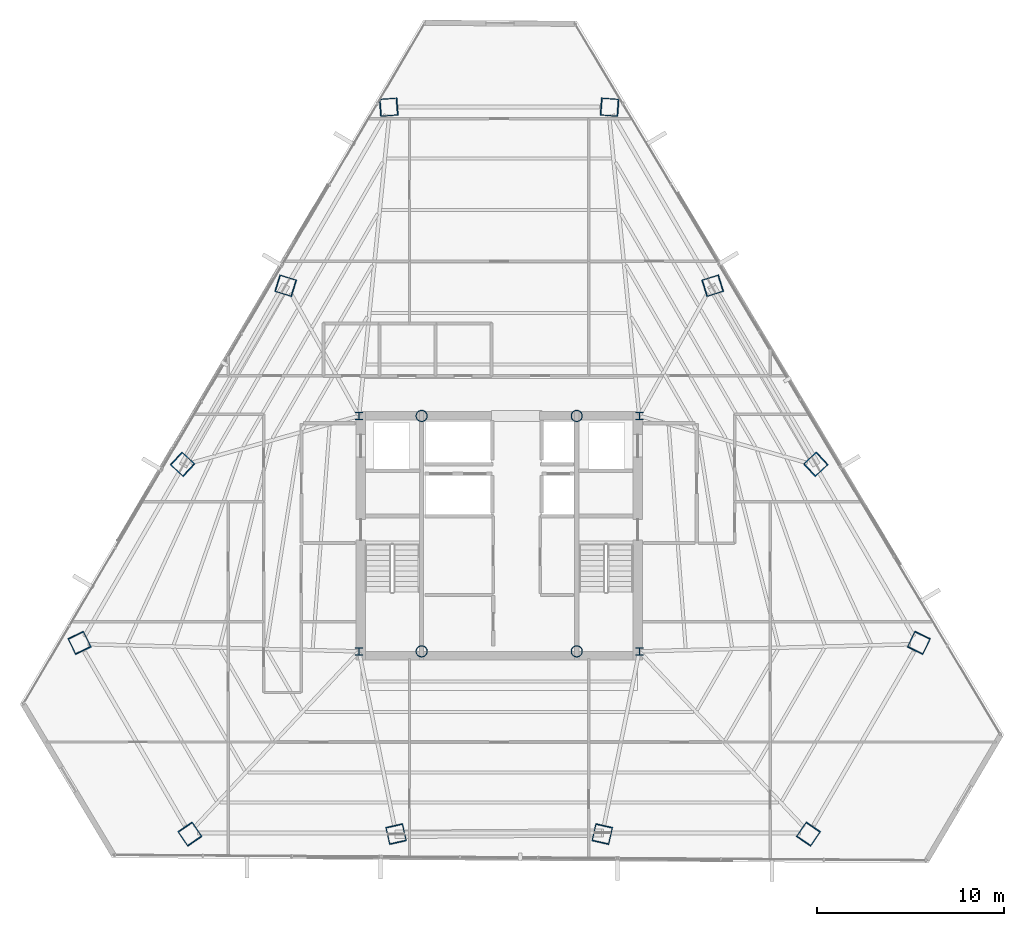
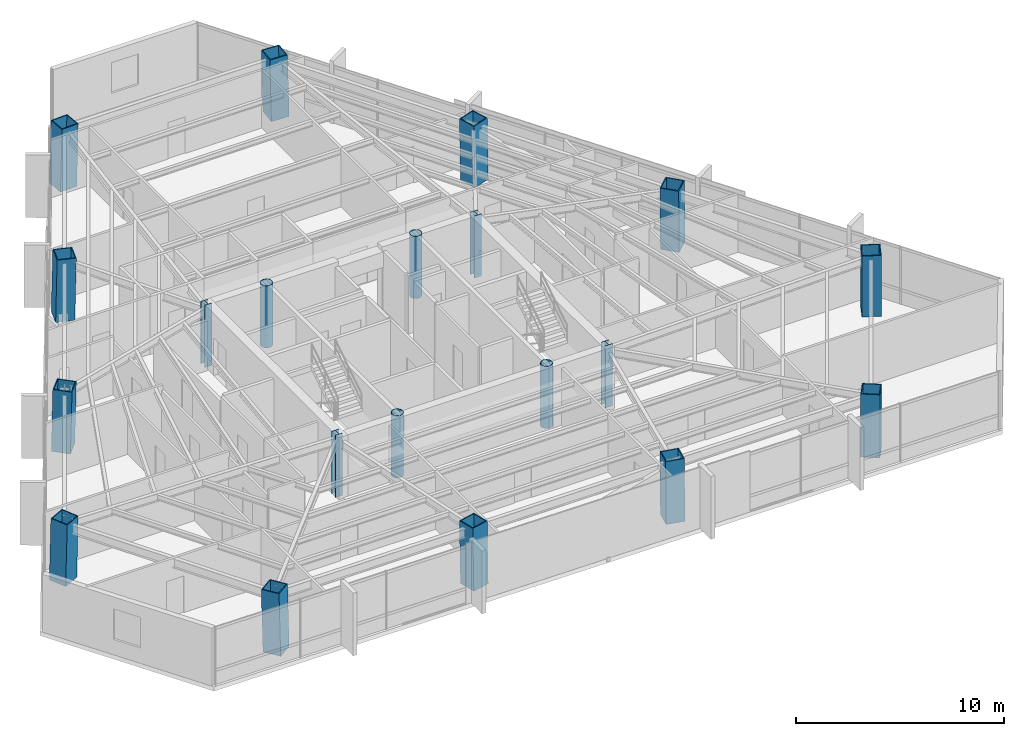
# One storey, part 1 of 41: 20 columns.
"""IFC4 building model written with IfcOpenShell, lengths in metres."""

from ifc_helpers import new_model, si_unit, direction, frame, origin, origin_2d, place, context, subcontext, project, spatial, hollow_rectangle, hollow_circle, i_section, extrude, source, transform, mapped, material, material_profile, profile_set, type_object, type_shapes, element, save


model = new_model("IFC4")

# Units and contexts
model_context = context("Model", 3, precision=1e-05, world=origin(), true_north=direction((0.0, 1.0)))
body_context = subcontext(model_context, "Body", "Model", "MODEL_VIEW")
ifc_project = project(units=[si_unit("LENGTHUNIT", "METRE"), si_unit("AREAUNIT", "SQUARE_METRE"), si_unit("VOLUMEUNIT", "CUBIC_METRE"), si_unit("PLANEANGLEUNIT", "RADIAN"), si_unit("MASSUNIT", "GRAM", prefix="KILO")], contexts=[model_context])

# Site, building, storey
site_placement = place(None, origin())
site = spatial("IfcSite", under=ifc_project, at=site_placement, CompositionType="ELEMENT")
building_placement = place(site_placement, origin())
building = spatial("IfcBuilding", under=site, at=building_placement, Name="Caelisora Broadcast Tower", CompositionType="ELEMENT")
storey_placement = place(building_placement, frame((0.0, 0.0, 169.449951171875)))
storey = spatial("IfcBuildingStorey", under=building, at=storey_placement, Name="L44", CompositionType="ELEMENT", Elevation=169.449951171875)

# Columns
ifc_material_1 = material(Name="Steel Grade 350 (AS/NZS 3679.2)", Category="steel")
ifc_material_profile_1 = material_profile(ifc_material_1, i_section(OverallWidth=0.39990234375, OverallDepth=0.39990234375, WebThickness=0.02001953125, FlangeThickness=0.031982421875, at=origin_2d()), Name="Steel Grade 350 (AS/NZS 3679.2)")
ifc_profile_set_1 = profile_set([ifc_material_profile_1], Name="Steel Grade 350 (AS/NZS 3679.2)")
column_type_1 = type_object("IfcColumnType", Name="CC02", PredefinedType="COLUMN", material=ifc_profile_set_1)
shared_shape_1 = source(origin(), body_context, "Body", "SweptSolid", [
    extrude(i_section(OverallWidth=0.39990234375, OverallDepth=0.39990234375, WebThickness=0.02001953125, FlangeThickness=0.031982421875, at=origin_2d()), origin(), (0.0, 0.0, 1.0), 3.650146484375),
])
type_shapes(column_type_1, [shared_shape_1])
for number, where, z_axis, x_axis, name in (
    (1, (30.5, 17.39990234375, 0.0), (0.0, 0.0, 1.0), (1.0, 0.0, 0.0), "L44 column CC02"),
    (2, (45.5, 17.39990234375, 0.0), (0.0, 0.0, 1.0), (1.0, 0.0, 0.0), "L44 column CC02"),
    (3, (45.5, 30.0, 0.0), (0.0, 0.0, 1.0), (1.0, 0.0, 0.0), "L44 column CC02"),
    (4, (30.5, 30.0, 0.0), (0.0, 0.0, 1.0), (1.0, 0.0, 0.0), "L44 column CC02"),
):
    element("IfcColumn", number, at=place(storey_placement, frame(where, z_axis=z_axis, x_axis=x_axis)), inside=storey, type_object=column_type_1, Name=name, PredefinedType="COLUMN", context=body_context, shape_type="MappedRepresentation", body=[
        mapped(shared_shape_1, transform((0.0, 0.0, 0.0), scale=1.0)),
    ])
ifc_material_2 = material(Name="Steel Grade 350 L15 (AS/NZS 3678)", Category="steel")
ifc_material_profile_2 = material_profile(ifc_material_2, hollow_circle(Radius=0.304931640625, WallThickness=0.02490234375, at=origin_2d()), Name="Steel Grade 350 L15 (AS/NZS 3678)")
ifc_profile_set_2 = profile_set([ifc_material_profile_2], Name="Steel Grade 350 L15 (AS/NZS 3678)")
column_type_2 = type_object("IfcColumnType", Name="CC06", PredefinedType="COLUMN", material=ifc_profile_set_2)
shared_shape_2 = source(origin(), body_context, "Body", "SweptSolid", [
    extrude(hollow_circle(Radius=0.304931640625, WallThickness=0.02490234375, at=origin_2d()), origin(), (0.0, 0.0, 1.0), 3.650146484375),
])
type_shapes(column_type_2, [shared_shape_2])
for number, where, z_axis, x_axis, name in (
    (5, (33.85009765625, 17.39990234375, 0.0), (0.0, 0.0, 1.0), (1.0, 0.0, 0.0), "L44 column CC06"),
    (6, (42.14990234375, 17.39990234375, 0.0), (0.0, 0.0, 1.0), (1.0, 0.0, 0.0), "L44 column CC06"),
    (7, (33.85009765625, 30.0, 0.0), (0.0, 0.0, 1.0), (1.0, 0.0, 0.0), "L44 column CC06"),
    (8, (42.14990234375, 30.0, 0.0), (0.0, 0.0, 1.0), (1.0, 0.0, 0.0), "L44 column CC06"),
):
    element("IfcColumn", number, at=place(storey_placement, frame(where, z_axis=z_axis, x_axis=x_axis)), inside=storey, type_object=column_type_2, Name=name, PredefinedType="COLUMN", context=body_context, shape_type="MappedRepresentation", body=[
        mapped(shared_shape_2, transform((0.0, 0.0, 0.0), scale=1.0)),
    ])
ifc_material_profile_3 = material_profile(ifc_material_2, hollow_rectangle(XDim=0.949951171875, YDim=0.949951171875, WallThickness=0.050048828125, at=origin_2d()), Name="Steel Grade 350 L15 (AS/NZS 3678)")
ifc_profile_set_3 = profile_set([ifc_material_profile_3], Name="Steel Grade 350 L15 (AS/NZS 3678)")
column_type_3 = type_object("IfcColumnType", Name="MC04", PredefinedType="COLUMN", material=ifc_profile_set_3)
shared_shape_3 = source(origin(), body_context, "Body", "SweptSolid", [
    extrude(hollow_rectangle(XDim=0.949951171875, YDim=0.949951171875, WallThickness=0.050048828125, at=origin_2d()), origin(), (0.0, 0.0, 1.0), 3.65087890625),
])
for number, where, z_axis, x_axis, name in (
    (9, (26.562744140625, 36.970703125, 0.0), (0.01939269685, -0.00601842316, 0.999793829693), (0.296399214872, 0.955064136811, 0.0), "L44 column MC04"),
    (10, (21.04833984375, 27.419677734375, 0.0), (0.014912316331, -0.013775502979, 0.999793907933), (0.678553674548, 0.734550822447, 0.0), "L44 column MC04"),
    (11, (32.485595703125, 7.609619140625, 0.0), (-0.004480382638, 0.019793929266, 0.999794042058), (-0.975326687046, -0.220766513622, 0.0), "L44 column MC04"),
    (12, (43.514404296875, 7.609619140625, 0.0), (0.004480382638, 0.019793929266, 0.999794042058), (-0.975326687046, 0.220766513622, 0.0), "L44 column MC04"),
    (13, (54.95166015625, 27.419677734375, 0.0), (-0.014912316331, -0.013775502979, 0.999793907933), (0.678553674548, -0.734550822447, 0.0), "L44 column MC04"),
    (14, (49.437255859375, 36.970703125, 0.0), (-0.01939269685, -0.00601842316, 0.999793829693), (0.296399214872, -0.955064136811, 0.0), "L44 column MC04"),
):
    element("IfcColumn", number, at=place(storey_placement, frame(where, z_axis=z_axis, x_axis=x_axis)), inside=storey, type_object=column_type_3, Name=name, PredefinedType="COLUMN", context=body_context, shape_type="MappedRepresentation", body=[
        mapped(shared_shape_3, transform((0.0, 0.0, 0.0), scale=1.0)),
    ])
shared_shape_4 = source(origin(), body_context, "Body", "SweptSolid", [
    extrude(hollow_rectangle(XDim=0.949951171875, YDim=0.949951171875, WallThickness=0.050048828125, at=origin_2d()), origin(), (0.0, 0.0, 1.0), 3.651123046875),
])
type_shapes(column_type_3, [shared_shape_3, shared_shape_4])
for number, where, z_axis, x_axis, name in (
    (15, (43.923095703125, 46.521484375, 0.0), (-0.023937986077, 0.001805378838, 0.99971181519), (-0.075205412575, -0.997168063026, 0.0), "L44 column MC04"),
    (16, (32.076904296875, 46.521484375, 0.0), (0.023937986077, 0.001805378838, 0.99971181519), (-0.075205412575, 0.997168063026, 0.0), "L44 column MC04"),
    (17, (15.5341796875, 17.86865234375, 0.0), (0.010431098089, -0.021530856313, 0.999713766245), (0.899947055326, 0.435999194506, 0.0), "L44 column MC04"),
    (18, (21.457275390625, 7.609619140625, 0.0), (-0.013506922627, 0.019792322266, 0.999712872289), (-0.825991119814, -0.563683129062, 0.0), "L44 column MC04"),
    (19, (54.542724609375, 7.609619140625, 0.0), (0.013506922627, 0.019792322266, 0.999712872289), (-0.825991119814, 0.563683129062, 0.0), "L44 column MC04"),
    (20, (60.4658203125, 17.86865234375, 0.0), (-0.010431098089, -0.021530856313, 0.999713766245), (0.899947055326, -0.435999194506, 0.0), "L44 column MC04"),
):
    element("IfcColumn", number, at=place(storey_placement, frame(where, z_axis=z_axis, x_axis=x_axis)), inside=storey, type_object=column_type_3, Name=name, PredefinedType="COLUMN", context=body_context, shape_type="MappedRepresentation", body=[
        mapped(shared_shape_4, transform((0.0, 0.0, 0.0), scale=1.0)),
    ])

save(model, "model.ifc")
